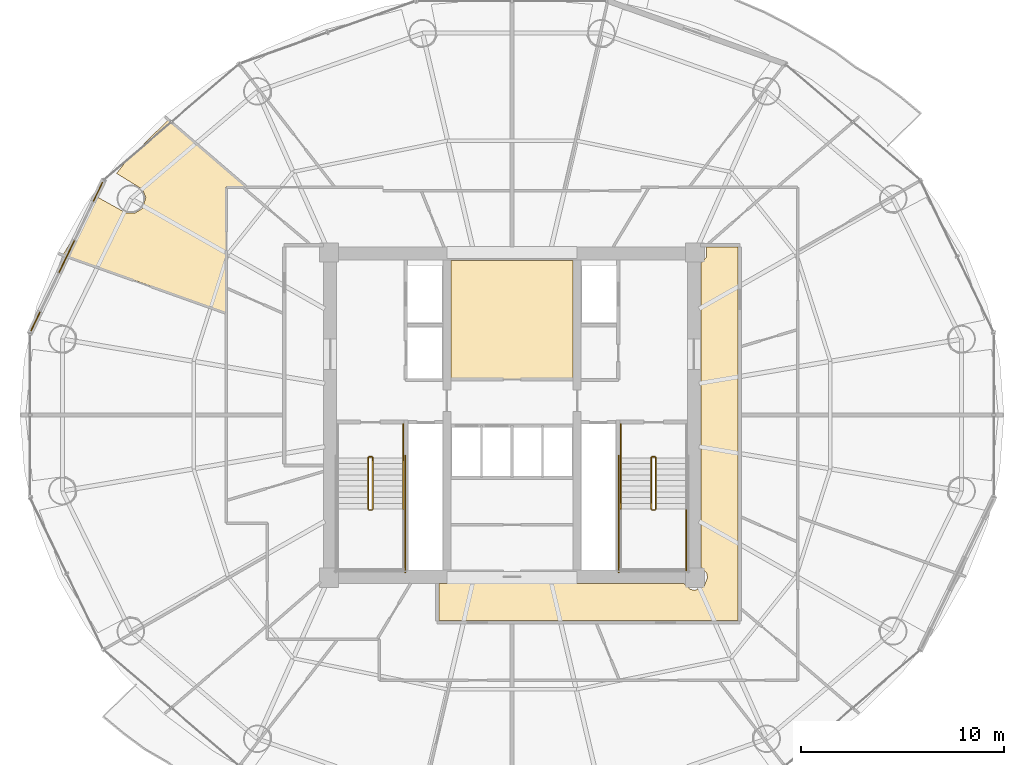
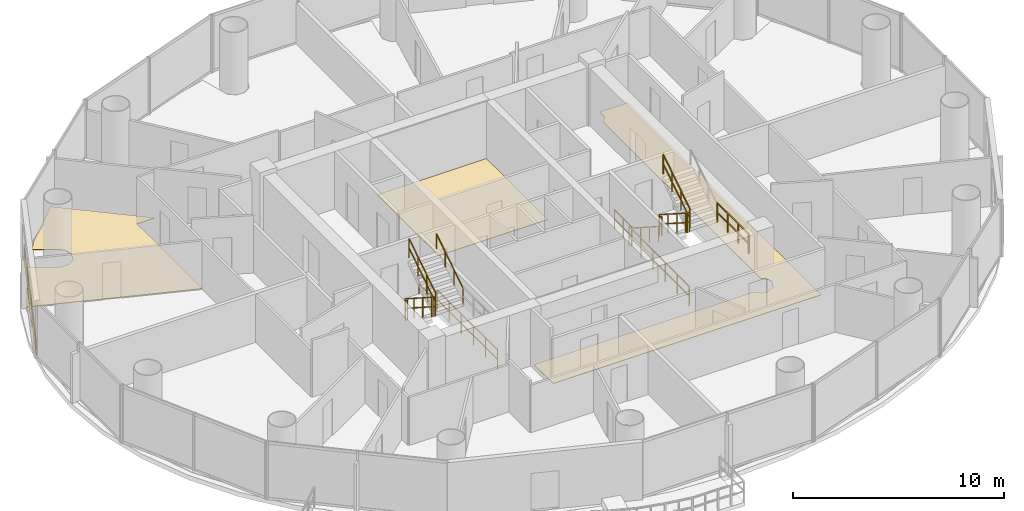
# One storey, part 26 of 27: 15 railings, 4 coverings.
"""IFC4 building model written with IfcOpenShell, lengths in metres."""

from ifc_helpers import new_model, si_unit, direction, frame, origin, origin_2d, place, context, subcontext, project, spatial, polyline, rectangle, outline, extrude, source, transform, mapped, material, layer, layer_set, type_object, element, save


model = new_model("IFC4")

# Units and contexts
model_context = context("Model", 3, precision=1e-05, world=origin(), true_north=direction((-0.2419218956, 0.970295726276)))
body_context = subcontext(model_context, "Body", "Model", "MODEL_VIEW")
ifc_project = project(units=[si_unit("LENGTHUNIT", "METRE"), si_unit("AREAUNIT", "SQUARE_METRE"), si_unit("VOLUMEUNIT", "CUBIC_METRE"), si_unit("PLANEANGLEUNIT", "RADIAN"), si_unit("MASSUNIT", "GRAM", prefix="KILO")], contexts=[model_context])

# Site, building, storey
site_placement = place(None, origin())
site = spatial("IfcSite", under=ifc_project, at=site_placement, CompositionType="ELEMENT")
building_placement = place(site_placement, origin())
building = spatial("IfcBuilding", under=site, at=building_placement, Name="Cobrevalo Terracotta Tower", CompositionType="ELEMENT")
storey_placement = place(building_placement, frame((0.0, 0.0, 160.60009765625)))
storey = spatial("IfcBuildingStorey", under=building, at=storey_placement, Name="L42", CompositionType="ELEMENT", Elevation=160.60009765625)

# Coverings
ifc_material_1 = material(Name="Engineered Brazilian hardwood flooring", Category="wood")
ifc_layer_1 = layer(ifc_material_1, 0.028076171875)
ifc_layer_set_1 = layer_set([ifc_layer_1], Name="Engineered Brazilian hardwood flooring")
covering_type_1 = type_object("IfcCoveringType", Name="Engineered Hardwood Suite Flooring 28", PredefinedType="FLOORING", material=ifc_layer_set_1)
covering_1_placement = place(storey_placement, origin())
element("IfcCovering", 1, at=covering_1_placement, inside=storey, type_object=covering_type_1, Name="Flat L42B Principal Guest Bedroom floor finish", PredefinedType="FLOORING", context=body_context, shape_type="SweptSolid", body=[
    extrude(outline(polyline([(17.632568359375, 37.50634765625), (19.017822265625, 36.736572265625), (19.447265625, 36.725830078125), (19.810302734375, 36.955322265625), (19.988525390625, 37.4931640625), (19.834228515625, 37.89404296875), (18.551513671875, 38.6865234375), (19.02197265625, 39.29052734375), (21.0888671875, 41.308837890625), (24.921142578125, 38.014892578125), (23.93505859375, 38.014892578125), (23.93505859375, 31.82861328125), (15.918212890625, 34.6826171875), (17.632568359375, 37.50634765625)])), origin(), (0.0, 0.0, 1.0), 0.02978515625),
])
ifc_material_2 = material(Name="Honed terracotta and granite tile", Category="masonry")
ifc_layer_2 = layer(ifc_material_2, 0.034912109375)
ifc_layer_set_2 = layer_set([ifc_layer_2], Name="Honed terracotta and granite tile")
covering_type_2 = type_object("IfcCoveringType", Name="Honed Terracotta & Granite Interior Flooring 35", PredefinedType="FLOORING", material=ifc_layer_set_2)
covering_2_placement = place(storey_placement, origin())
element("IfcCovering", 2, at=covering_2_placement, inside=storey, type_object=covering_type_2, Name="Floor Electrical Switchroom floor finish", PredefinedType="FLOORING", context=body_context, shape_type="SweptSolid", body=[
    extrude(outline(polyline([(35.010009765625, 34.405029296875), (40.989990234375, 34.405029296875), (40.989990234375, 28.580078125), (35.010009765625, 28.580078125), (35.010009765625, 34.405029296875)])), origin(), (0.0, 0.0, 1.0), 0.02978515625),
])
covering_3_placement = place(storey_placement, origin())
element("IfcCovering", 3, at=covering_3_placement, inside=storey, type_object=covering_type_2, Name="L42 Residential Floor Corridor 1 floor finish", PredefinedType="FLOORING", context=body_context, shape_type="SweptSolid", body=[
    extrude(outline(polyline([(34.419921875, 18.5048828125), (46.46533203125, 18.5048828125), (46.7626953125, 18.226806640625), (47.0, 18.1796875), (47.438720703125, 18.361328125), (47.620361328125, 18.800048828125), (47.5732421875, 19.037353515625), (47.294921875, 19.334716796875), (47.294921875, 34.265380859375), (47.5732421875, 34.5625), (47.5615234375, 35.054931640625), (49.10498046875, 35.054931640625), (49.10498046875, 16.695068359375), (34.419921875, 16.695068359375), (34.419921875, 18.5048828125)])), origin(), (0.0, 0.0, 1.0), 0.02978515625),
])

# Railings
ifc_material_3 = material(Name="Brushed stainless steel", Category="steel")
railing_type_1 = type_object("IfcRailingType", Name="Stainless Steel Stair Handrail 900", PredefinedType="HANDRAIL", material=ifc_material_3)
railing_1_placement = place(storey_placement, frame((32.64501953125, 22.179931640625, 1.97998046875)))
element("IfcRailing", 4, at=railing_1_placement, inside=storey, type_object=railing_type_1, Name="L42 ST-1 stair handrail 2", PredefinedType="HANDRAIL", context=body_context, shape_type="SweptSolid", body=[
    extrude(rectangle(XDim=0.048095703125, YDim=0.048095703125, at=origin_2d()), frame((0.0, 0.0, 0.8759765625), z_axis=(0.0, 0.841199657755, 0.540724639528), x_axis=(-1.0, 0.0, 0.0)), (0.0, 0.0, 1.0), 2.995849609375),
    extrude(rectangle(XDim=0.0419921875, YDim=0.0419921875, at=origin_2d()), origin(), (0.0, 0.0, 1.0), 0.851806640625),
    extrude(rectangle(XDim=0.0419921875, YDim=0.0419921875, at=origin_2d()), frame((0.0, 0.840087890625, 0.5400390625)), (0.0, 0.0, 1.0), 0.851806640625),
    extrude(rectangle(XDim=0.0419921875, YDim=0.0419921875, at=origin_2d()), frame((0.0, 1.679931640625, 1.079833984375)), (0.0, 0.0, 1.0), 0.851806640625),
    extrude(rectangle(XDim=0.0419921875, YDim=0.0419921875, at=origin_2d()), frame((0.0, 2.52001953125, 1.619873046875)), (0.0, 0.0, 1.0), 0.851806640625),
])
railing_2_placement = place(storey_placement, frame((43.35498046875, 24.699951171875, 0.179931640625)))
element("IfcRailing", 5, at=railing_2_placement, inside=storey, type_object=railing_type_1, Name="L42 ST-2 stair handrail 1", PredefinedType="HANDRAIL", context=body_context, shape_type="SweptSolid", body=[
    extrude(rectangle(XDim=0.048095703125, YDim=0.048095703125, at=origin_2d()), frame((0.0, 0.0, 0.8759765625), z_axis=(0.0, -0.841199657755, 0.540724639528), x_axis=(1.0, 0.0, 0.0)), (0.0, 0.0, 1.0), 2.995849609375),
    extrude(rectangle(XDim=0.0419921875, YDim=0.0419921875, at=origin_2d()), origin(), (0.0, 0.0, 1.0), 0.851806640625),
    extrude(rectangle(XDim=0.0419921875, YDim=0.0419921875, at=origin_2d()), frame((0.0, -0.840087890625, 0.5400390625)), (0.0, 0.0, 1.0), 0.851806640625),
    extrude(rectangle(XDim=0.0419921875, YDim=0.0419921875, at=origin_2d()), frame((0.0, -1.679931640625, 1.079833984375)), (0.0, 0.0, 1.0), 0.851806640625),
    extrude(rectangle(XDim=0.0419921875, YDim=0.0419921875, at=origin_2d()), frame((0.0, -2.52001953125, 1.619873046875)), (0.0, 0.0, 1.0), 0.851806640625),
])
ifc_material_4 = material(Name="Painted galvanized steel", Category="steel")
railing_type_2 = type_object("IfcRailingType", Name="Stair Well Guard Balustrade 1150", PredefinedType="GUARDRAIL", material=ifc_material_4)
railing_3_placement = place(storey_placement, frame((30.925048828125, 24.699951171875, 0.179931640625)))
element("IfcRailing", 6, at=railing_3_placement, inside=storey, type_object=railing_type_2, Name="L42 ST-1 stair guard 1", PredefinedType="GUARDRAIL", context=body_context, shape_type="SweptSolid", body=[
    extrude(rectangle(XDim=0.048095703125, YDim=0.048095703125, at=origin_2d()), frame((0.0, 0.0, 1.1259765625), z_axis=(0.0, -0.841199657755, 0.540724639528), x_axis=(1.0, 0.0, 0.0)), (0.0, 0.0, 1.0), 2.995849609375),
    extrude(rectangle(XDim=0.048095703125, YDim=0.048095703125, at=origin_2d()), frame((0.0, 0.0, 0.574951171875), z_axis=(0.0, -0.841199657755, 0.540724639528), x_axis=(1.0, 0.0, 0.0)), (0.0, 0.0, 1.0), 2.995849609375),
    extrude(rectangle(XDim=0.0419921875, YDim=0.0419921875, at=origin_2d()), origin(), (0.0, 0.0, 1.0), 1.101806640625),
    extrude(rectangle(XDim=0.0419921875, YDim=0.0419921875, at=origin_2d()), frame((0.0, -0.840087890625, 0.5400390625)), (0.0, 0.0, 1.0), 1.101806640625),
    extrude(rectangle(XDim=0.0419921875, YDim=0.0419921875, at=origin_2d()), frame((0.0, -1.679931640625, 1.079833984375)), (0.0, 0.0, 1.0), 1.101806640625),
    extrude(rectangle(XDim=0.0419921875, YDim=0.0419921875, at=origin_2d()), frame((0.0, -2.52001953125, 1.619873046875)), (0.0, 0.0, 1.0), 1.101806640625),
])
railing_4_placement = place(storey_placement, frame((30.97509765625, 22.1298828125, 1.7998046875)))
element("IfcRailing", 7, at=railing_4_placement, inside=storey, type_object=railing_type_2, Name="L42 ST-1 stair guard 2", PredefinedType="GUARDRAIL", context=body_context, shape_type="SweptSolid", body=[
    extrude(rectangle(XDim=0.048095703125, YDim=0.048095703125, at=origin_2d()), frame((0.0, 0.0, 1.1259765625), z_axis=(1.0, 0.0, 0.0), x_axis=(0.0, 1.0, 0.0)), (0.0, 0.0, 1.0), 0.119873046875),
    extrude(rectangle(XDim=0.048095703125, YDim=0.048095703125, at=origin_2d()), frame((0.0, 0.0, 0.574951171875), z_axis=(1.0, 0.0, 0.0), x_axis=(0.0, 1.0, 0.0)), (0.0, 0.0, 1.0), 0.119873046875),
    extrude(rectangle(XDim=0.0419921875, YDim=0.0419921875, at=origin_2d()), origin(), (0.0, 0.0, 1.0), 1.101806640625),
    extrude(rectangle(XDim=0.0419921875, YDim=0.0419921875, at=origin_2d()), frame((0.119873046875, 0.0, 0.0)), (0.0, 0.0, 1.0), 1.101806640625),
])
railing_5_placement = place(storey_placement, frame((31.14501953125, 22.179931640625, 1.97998046875)))
element("IfcRailing", 8, at=railing_5_placement, inside=storey, type_object=railing_type_2, Name="L42 ST-1 stair guard 6", PredefinedType="GUARDRAIL", context=body_context, shape_type="SweptSolid", body=[
    extrude(rectangle(XDim=0.048095703125, YDim=0.048095703125, at=origin_2d()), frame((0.0, 0.0, 1.1259765625), z_axis=(0.0, 0.841199657755, 0.540724639528), x_axis=(-1.0, 0.0, 0.0)), (0.0, 0.0, 1.0), 2.995849609375),
    extrude(rectangle(XDim=0.048095703125, YDim=0.048095703125, at=origin_2d()), frame((0.0, 0.0, 0.574951171875), z_axis=(0.0, 0.841199657755, 0.540724639528), x_axis=(-1.0, 0.0, 0.0)), (0.0, 0.0, 1.0), 2.995849609375),
    extrude(rectangle(XDim=0.0419921875, YDim=0.0419921875, at=origin_2d()), origin(), (0.0, 0.0, 1.0), 1.101806640625),
    extrude(rectangle(XDim=0.0419921875, YDim=0.0419921875, at=origin_2d()), frame((0.0, 0.840087890625, 0.5400390625)), (0.0, 0.0, 1.0), 1.101806640625),
    extrude(rectangle(XDim=0.0419921875, YDim=0.0419921875, at=origin_2d()), frame((0.0, 1.679931640625, 1.079833984375)), (0.0, 0.0, 1.0), 1.101806640625),
    extrude(rectangle(XDim=0.0419921875, YDim=0.0419921875, at=origin_2d()), frame((0.0, 2.52001953125, 1.619873046875)), (0.0, 0.0, 1.0), 1.101806640625),
])
railing_6_placement = place(storey_placement, frame((30.97509765625, 24.75, 0.0)))
element("IfcRailing", 9, at=railing_6_placement, inside=storey, type_object=railing_type_2, Name="L42 ST-1 stair guard 7", PredefinedType="GUARDRAIL", context=body_context, shape_type="SweptSolid", body=[
    extrude(rectangle(XDim=0.048095703125, YDim=0.048095703125, at=origin_2d()), frame((0.0, 0.0, 1.1259765625), z_axis=(1.0, 0.0, 0.0), x_axis=(0.0, 1.0, 0.0)), (0.0, 0.0, 1.0), 0.119873046875),
    extrude(rectangle(XDim=0.048095703125, YDim=0.048095703125, at=origin_2d()), frame((0.0, 0.0, 0.574951171875), z_axis=(1.0, 0.0, 0.0), x_axis=(0.0, 1.0, 0.0)), (0.0, 0.0, 1.0), 0.119873046875),
    extrude(rectangle(XDim=0.0419921875, YDim=0.0419921875, at=origin_2d()), origin(), (0.0, 0.0, 1.0), 1.101806640625),
    extrude(rectangle(XDim=0.0419921875, YDim=0.0419921875, at=origin_2d()), frame((0.119873046875, 0.0, 0.0)), (0.0, 0.0, 1.0), 1.101806640625),
])
railing_7_placement = place(storey_placement, frame((32.64501953125, 26.35009765625, 0.0)))
element("IfcRailing", 10, at=railing_7_placement, inside=storey, type_object=railing_type_2, Name="L42 ST-1 stair guard 9", PredefinedType="GUARDRAIL", context=body_context, shape_type="SweptSolid", body=[
    extrude(rectangle(XDim=0.048095703125, YDim=0.048095703125, at=origin_2d()), frame((0.0, 0.0, 1.1259765625), z_axis=(0.0, -1.0, 0.0), x_axis=(1.0, 0.0, 0.0)), (0.0, 0.0, 1.0), 1.650146484375),
    extrude(rectangle(XDim=0.048095703125, YDim=0.048095703125, at=origin_2d()), frame((0.0, 0.0, 0.574951171875), z_axis=(0.0, -1.0, 0.0), x_axis=(1.0, 0.0, 0.0)), (0.0, 0.0, 1.0), 1.650146484375),
    extrude(rectangle(XDim=0.0419921875, YDim=0.0419921875, at=origin_2d()), origin(), (0.0, 0.0, 1.0), 1.101806640625),
    extrude(rectangle(XDim=0.0419921875, YDim=0.0419921875, at=origin_2d()), frame((0.0, -0.8251953125, 0.0)), (0.0, 0.0, 1.0), 1.101806640625),
    extrude(rectangle(XDim=0.0419921875, YDim=0.0419921875, at=origin_2d()), frame((0.0, -1.650146484375, 0.0)), (0.0, 0.0, 1.0), 1.101806640625),
])
railing_8_placement = place(storey_placement, frame((32.7451171875, 24.800048828125, 0.0)))
element("IfcRailing", 11, at=railing_8_placement, inside=storey, type_object=railing_type_2, Name="L42 ST-1 stair guard 11", PredefinedType="GUARDRAIL", context=body_context, shape_type="SweptSolid", body=[
    extrude(rectangle(XDim=0.048095703125, YDim=0.048095703125, at=origin_2d()), frame((0.0, 0.0, 1.1259765625), z_axis=(0.0, -1.0, 0.0), x_axis=(1.0, 0.0, 0.0)), (0.0, 0.0, 1.0), 5.72509765625),
    extrude(rectangle(XDim=0.048095703125, YDim=0.048095703125, at=origin_2d()), frame((0.0, 0.0, 0.574951171875), z_axis=(0.0, -1.0, 0.0), x_axis=(1.0, 0.0, 0.0)), (0.0, 0.0, 1.0), 5.72509765625),
    extrude(rectangle(XDim=0.0419921875, YDim=0.0419921875, at=origin_2d()), origin(), (0.0, 0.0, 1.0), 1.101806640625),
    extrude(rectangle(XDim=0.0419921875, YDim=0.0419921875, at=origin_2d()), frame((0.0, -1.14501953125, 0.0)), (0.0, 0.0, 1.0), 1.101806640625),
    extrude(rectangle(XDim=0.0419921875, YDim=0.0419921875, at=origin_2d()), frame((0.0, -2.2900390625, 0.0)), (0.0, 0.0, 1.0), 1.101806640625),
    extrude(rectangle(XDim=0.0419921875, YDim=0.0419921875, at=origin_2d()), frame((0.0, -3.43505859375, 0.0)), (0.0, 0.0, 1.0), 1.101806640625),
    extrude(rectangle(XDim=0.0419921875, YDim=0.0419921875, at=origin_2d()), frame((0.0, -4.580078125, 0.0)), (0.0, 0.0, 1.0), 1.101806640625),
    extrude(rectangle(XDim=0.0419921875, YDim=0.0419921875, at=origin_2d()), frame((0.0, -5.72509765625, 0.0)), (0.0, 0.0, 1.0), 1.101806640625),
])
railing_9_placement = place(storey_placement, frame((44.85498046875, 24.699951171875, 0.179931640625)))
element("IfcRailing", 12, at=railing_9_placement, inside=storey, type_object=railing_type_2, Name="L42 ST-2 stair guard 1", PredefinedType="GUARDRAIL", context=body_context, shape_type="SweptSolid", body=[
    extrude(rectangle(XDim=0.048095703125, YDim=0.048095703125, at=origin_2d()), frame((0.0, 0.0, 1.1259765625), z_axis=(0.0, -0.841199657755, 0.540724639528), x_axis=(1.0, 0.0, 0.0)), (0.0, 0.0, 1.0), 2.995849609375),
    extrude(rectangle(XDim=0.048095703125, YDim=0.048095703125, at=origin_2d()), frame((0.0, 0.0, 0.574951171875), z_axis=(0.0, -0.841199657755, 0.540724639528), x_axis=(1.0, 0.0, 0.0)), (0.0, 0.0, 1.0), 2.995849609375),
    extrude(rectangle(XDim=0.0419921875, YDim=0.0419921875, at=origin_2d()), origin(), (0.0, 0.0, 1.0), 1.101806640625),
    extrude(rectangle(XDim=0.0419921875, YDim=0.0419921875, at=origin_2d()), frame((0.0, -0.840087890625, 0.5400390625)), (0.0, 0.0, 1.0), 1.101806640625),
    extrude(rectangle(XDim=0.0419921875, YDim=0.0419921875, at=origin_2d()), frame((0.0, -1.679931640625, 1.079833984375)), (0.0, 0.0, 1.0), 1.101806640625),
    extrude(rectangle(XDim=0.0419921875, YDim=0.0419921875, at=origin_2d()), frame((0.0, -2.52001953125, 1.619873046875)), (0.0, 0.0, 1.0), 1.101806640625),
])
railing_10_placement = place(storey_placement, frame((44.905029296875, 22.1298828125, 1.7998046875)))
element("IfcRailing", 13, at=railing_10_placement, inside=storey, type_object=railing_type_2, Name="L42 ST-2 stair guard 2", PredefinedType="GUARDRAIL", context=body_context, shape_type="SweptSolid", body=[
    extrude(rectangle(XDim=0.048095703125, YDim=0.048095703125, at=origin_2d()), frame((0.0, 0.0, 1.1259765625), z_axis=(1.0, 0.0, 0.0), x_axis=(0.0, 1.0, 0.0)), (0.0, 0.0, 1.0), 0.119873046875),
    extrude(rectangle(XDim=0.048095703125, YDim=0.048095703125, at=origin_2d()), frame((0.0, 0.0, 0.574951171875), z_axis=(1.0, 0.0, 0.0), x_axis=(0.0, 1.0, 0.0)), (0.0, 0.0, 1.0), 0.119873046875),
    extrude(rectangle(XDim=0.0419921875, YDim=0.0419921875, at=origin_2d()), origin(), (0.0, 0.0, 1.0), 1.101806640625),
    extrude(rectangle(XDim=0.0419921875, YDim=0.0419921875, at=origin_2d()), frame((0.119873046875, 0.0, 0.0)), (0.0, 0.0, 1.0), 1.101806640625),
])
railing_11_placement = place(storey_placement, frame((46.574951171875, 22.179931640625, 1.7998046875)))
element("IfcRailing", 14, at=railing_11_placement, inside=storey, type_object=railing_type_2, Name="L42 ST-2 stair guard 4", PredefinedType="GUARDRAIL", context=body_context, shape_type="SweptSolid", body=[
    extrude(rectangle(XDim=0.048095703125, YDim=0.048095703125, at=origin_2d()), frame((0.0, 0.0, 1.1259765625), z_axis=(0.0, -1.0, 0.0), x_axis=(1.0, 0.0, 0.0)), (0.0, 0.0, 1.0), 3.0048828125),
    extrude(rectangle(XDim=0.048095703125, YDim=0.048095703125, at=origin_2d()), frame((0.0, 0.0, 0.574951171875), z_axis=(0.0, -1.0, 0.0), x_axis=(1.0, 0.0, 0.0)), (0.0, 0.0, 1.0), 3.0048828125),
    extrude(rectangle(XDim=0.0419921875, YDim=0.0419921875, at=origin_2d()), origin(), (0.0, 0.0, 1.0), 1.101806640625),
    extrude(rectangle(XDim=0.0419921875, YDim=0.0419921875, at=origin_2d()), frame((0.0, -1.001708984375, 0.0)), (0.0, 0.0, 1.0), 1.101806640625),
    extrude(rectangle(XDim=0.0419921875, YDim=0.0419921875, at=origin_2d()), frame((0.0, -2.003173828125, 0.0)), (0.0, 0.0, 1.0), 1.101806640625),
    extrude(rectangle(XDim=0.0419921875, YDim=0.0419921875, at=origin_2d()), frame((0.0, -3.0048828125, 0.0)), (0.0, 0.0, 1.0), 1.101806640625),
])
railing_12_placement = place(storey_placement, frame((45.074951171875, 22.179931640625, 1.97998046875)))
element("IfcRailing", 15, at=railing_12_placement, inside=storey, type_object=railing_type_2, Name="L42 ST-2 stair guard 6", PredefinedType="GUARDRAIL", context=body_context, shape_type="SweptSolid", body=[
    extrude(rectangle(XDim=0.048095703125, YDim=0.048095703125, at=origin_2d()), frame((0.0, 0.0, 1.1259765625), z_axis=(0.0, 0.841199657755, 0.540724639528), x_axis=(-1.0, 0.0, 0.0)), (0.0, 0.0, 1.0), 2.995849609375),
    extrude(rectangle(XDim=0.048095703125, YDim=0.048095703125, at=origin_2d()), frame((0.0, 0.0, 0.574951171875), z_axis=(0.0, 0.841199657755, 0.540724639528), x_axis=(-1.0, 0.0, 0.0)), (0.0, 0.0, 1.0), 2.995849609375),
    extrude(rectangle(XDim=0.0419921875, YDim=0.0419921875, at=origin_2d()), origin(), (0.0, 0.0, 1.0), 1.101806640625),
    extrude(rectangle(XDim=0.0419921875, YDim=0.0419921875, at=origin_2d()), frame((0.0, 0.840087890625, 0.5400390625)), (0.0, 0.0, 1.0), 1.101806640625),
    extrude(rectangle(XDim=0.0419921875, YDim=0.0419921875, at=origin_2d()), frame((0.0, 1.679931640625, 1.079833984375)), (0.0, 0.0, 1.0), 1.101806640625),
    extrude(rectangle(XDim=0.0419921875, YDim=0.0419921875, at=origin_2d()), frame((0.0, 2.52001953125, 1.619873046875)), (0.0, 0.0, 1.0), 1.101806640625),
])
railing_13_placement = place(storey_placement, frame((44.905029296875, 24.75, 0.0)))
element("IfcRailing", 16, at=railing_13_placement, inside=storey, type_object=railing_type_2, Name="L42 ST-2 stair guard 7", PredefinedType="GUARDRAIL", context=body_context, shape_type="SweptSolid", body=[
    extrude(rectangle(XDim=0.048095703125, YDim=0.048095703125, at=origin_2d()), frame((0.0, 0.0, 1.1259765625), z_axis=(1.0, 0.0, 0.0), x_axis=(0.0, 1.0, 0.0)), (0.0, 0.0, 1.0), 0.119873046875),
    extrude(rectangle(XDim=0.048095703125, YDim=0.048095703125, at=origin_2d()), frame((0.0, 0.0, 0.574951171875), z_axis=(1.0, 0.0, 0.0), x_axis=(0.0, 1.0, 0.0)), (0.0, 0.0, 1.0), 0.119873046875),
    extrude(rectangle(XDim=0.0419921875, YDim=0.0419921875, at=origin_2d()), origin(), (0.0, 0.0, 1.0), 1.101806640625),
    extrude(rectangle(XDim=0.0419921875, YDim=0.0419921875, at=origin_2d()), frame((0.119873046875, 0.0, 0.0)), (0.0, 0.0, 1.0), 1.101806640625),
])
railing_14_placement = place(storey_placement, frame((43.35498046875, 26.35009765625, 0.0)))
element("IfcRailing", 17, at=railing_14_placement, inside=storey, type_object=railing_type_2, Name="L42 ST-2 stair guard 8", PredefinedType="GUARDRAIL", context=body_context, shape_type="SweptSolid", body=[
    extrude(rectangle(XDim=0.048095703125, YDim=0.048095703125, at=origin_2d()), frame((0.0, 0.0, 1.1259765625), z_axis=(0.0, -1.0, 0.0), x_axis=(1.0, 0.0, 0.0)), (0.0, 0.0, 1.0), 1.650146484375),
    extrude(rectangle(XDim=0.048095703125, YDim=0.048095703125, at=origin_2d()), frame((0.0, 0.0, 0.574951171875), z_axis=(0.0, -1.0, 0.0), x_axis=(1.0, 0.0, 0.0)), (0.0, 0.0, 1.0), 1.650146484375),
    extrude(rectangle(XDim=0.0419921875, YDim=0.0419921875, at=origin_2d()), origin(), (0.0, 0.0, 1.0), 1.101806640625),
    extrude(rectangle(XDim=0.0419921875, YDim=0.0419921875, at=origin_2d()), frame((0.0, -0.8251953125, 0.0)), (0.0, 0.0, 1.0), 1.101806640625),
    extrude(rectangle(XDim=0.0419921875, YDim=0.0419921875, at=origin_2d()), frame((0.0, -1.650146484375, 0.0)), (0.0, 0.0, 1.0), 1.101806640625),
])
railing_15_placement = place(storey_placement, frame((43.2548828125, 24.800048828125, 0.0)))
element("IfcRailing", 18, at=railing_15_placement, inside=storey, type_object=railing_type_2, Name="L42 ST-2 stair guard 10", PredefinedType="GUARDRAIL", context=body_context, shape_type="SweptSolid", body=[
    extrude(rectangle(XDim=0.048095703125, YDim=0.048095703125, at=origin_2d()), frame((0.0, 0.0, 1.1259765625), z_axis=(0.0, -1.0, 0.0), x_axis=(1.0, 0.0, 0.0)), (0.0, 0.0, 1.0), 5.72509765625),
    extrude(rectangle(XDim=0.048095703125, YDim=0.048095703125, at=origin_2d()), frame((0.0, 0.0, 0.574951171875), z_axis=(0.0, -1.0, 0.0), x_axis=(1.0, 0.0, 0.0)), (0.0, 0.0, 1.0), 5.72509765625),
    extrude(rectangle(XDim=0.0419921875, YDim=0.0419921875, at=origin_2d()), origin(), (0.0, 0.0, 1.0), 1.101806640625),
    extrude(rectangle(XDim=0.0419921875, YDim=0.0419921875, at=origin_2d()), frame((0.0, -1.14501953125, 0.0)), (0.0, 0.0, 1.0), 1.101806640625),
    extrude(rectangle(XDim=0.0419921875, YDim=0.0419921875, at=origin_2d()), frame((0.0, -2.2900390625, 0.0)), (0.0, 0.0, 1.0), 1.101806640625),
    extrude(rectangle(XDim=0.0419921875, YDim=0.0419921875, at=origin_2d()), frame((0.0, -3.43505859375, 0.0)), (0.0, 0.0, 1.0), 1.101806640625),
    extrude(rectangle(XDim=0.0419921875, YDim=0.0419921875, at=origin_2d()), frame((0.0, -4.580078125, 0.0)), (0.0, 0.0, 1.0), 1.101806640625),
    extrude(rectangle(XDim=0.0419921875, YDim=0.0419921875, at=origin_2d()), frame((0.0, -5.72509765625, 0.0)), (0.0, 0.0, 1.0), 1.101806640625),
])

# Covering
ifc_material_5 = material(Name="Glazed terracotta facade cladding tile", Category="masonry")
ifc_layer_3 = layer(ifc_material_5, 0.044921875)
ifc_layer_set_3 = layer_set([ifc_layer_3], Name="Glazed terracotta facade cladding tile")
covering_type_3 = type_object("IfcCoveringType", Name="Architectural terracotta rainscreen spandrel cladding 45 mm", PredefinedType="CLADDING", material=ifc_layer_set_3)
shared_shape = source(origin(), body_context, "Body", "SweptSolid", [
    extrude(rectangle(XDim=8.111572265625, YDim=0.044921875, at=origin_2d()), origin(), (0.0, 0.0, 1.0), 0.760009765625),
])
covering_4_placement = place(storey_placement, frame((16.098876953125, 34.595703125, 0.0400390625), z_axis=(0.0, 0.0, 1.0), x_axis=(-0.434209440271, -0.900811945957, 0.0)))
element("IfcCovering", 19, at=covering_4_placement, inside=storey, type_object=covering_type_3, Name="L42 terracotta spandrel cladding S07", PredefinedType="CLADDING", context=body_context, shape_type="MappedRepresentation", body=[
    mapped(shared_shape, transform((0.0, 0.0, 0.0), scale=1.0)),
])

save(model, "model.ifc")
